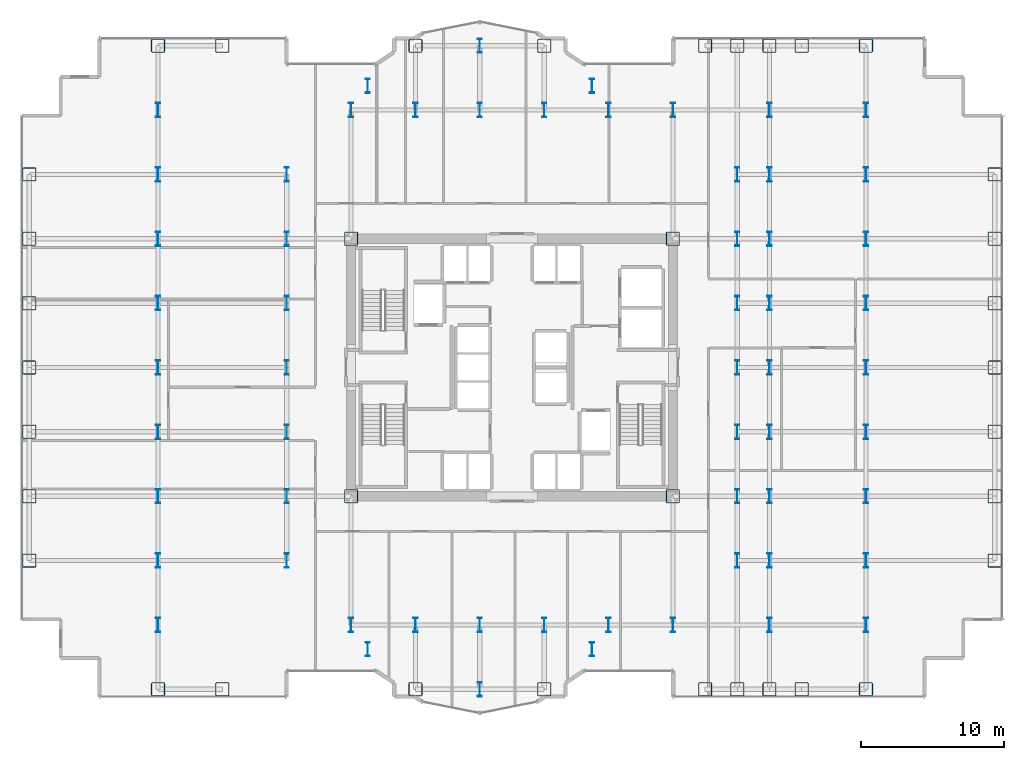
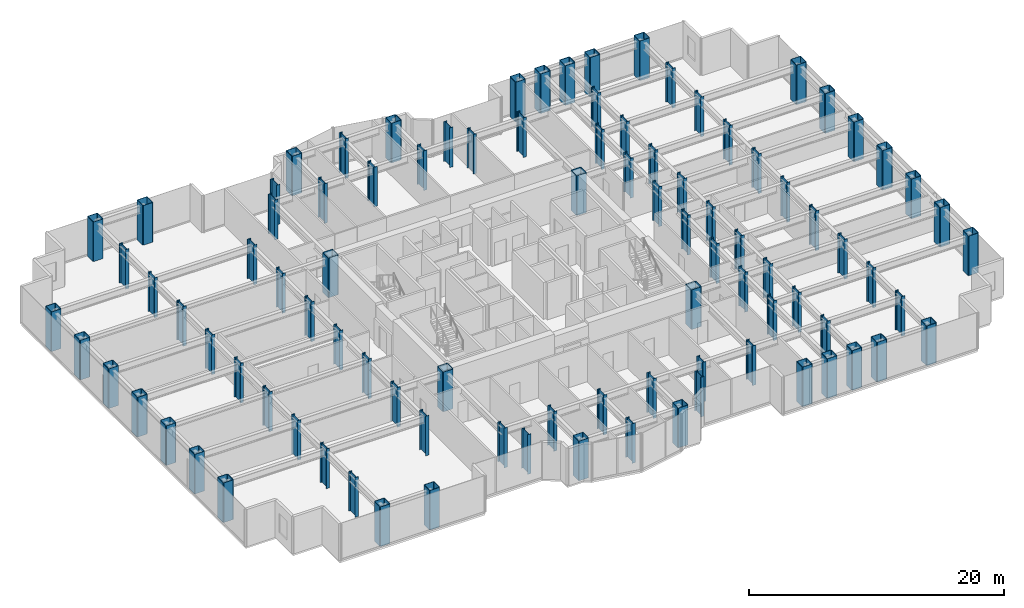
# One storey, part 1 of 25: 95 columns.
"""IFC4 building model written with IfcOpenShell, lengths in metres."""

from ifc_helpers import new_model, si_unit, direction, frame, origin, origin_2d, place, context, subcontext, project, spatial, hollow_rectangle, i_section, extrude, source, transform, mapped, material, material_profile, profile_set, type_object, element, save


model = new_model("IFC4")

# Units and contexts
model_context = context("Model", 3, precision=1e-05, world=origin(), true_north=direction((0.0, 1.0)))
body_context = subcontext(model_context, "Body", "Model", "MODEL_VIEW")
ifc_project = project(units=[si_unit("LENGTHUNIT", "METRE"), si_unit("AREAUNIT", "SQUARE_METRE"), si_unit("VOLUMEUNIT", "CUBIC_METRE"), si_unit("PLANEANGLEUNIT", "RADIAN"), si_unit("MASSUNIT", "GRAM", prefix="KILO")], contexts=[model_context])

# Site, building, storey
site_placement = place(None, origin())
site = spatial("IfcSite", under=ifc_project, at=site_placement, CompositionType="ELEMENT")
building_placement = place(site_placement, origin())
building = spatial("IfcBuilding", under=site, at=building_placement, Name="Nefas-Gora Pilgrimage Tower", CompositionType="ELEMENT")
storey_placement = place(building_placement, frame((0.0, 0.0, 52.0)))
storey = spatial("IfcBuildingStorey", under=building, at=storey_placement, Name="L11", CompositionType="ELEMENT", Elevation=52.0)

# Columns
ifc_material = material(Name="Steel S460", Category="steel")
ifc_material_profile_1 = material_profile(ifc_material, hollow_rectangle(XDim=0.949951171875, YDim=0.949951171875, WallThickness=0.044921875, InnerFilletRadius=0.044921875, OuterFilletRadius=0.090087890625, at=origin_2d()), Name="BOX 950x950x45")
ifc_profile_set_1 = profile_set([ifc_material_profile_1], Name="Steel S460")
column_type_1 = type_object("IfcColumnType", Name="COL-TUBE-950", PredefinedType="COLUMN", material=ifc_profile_set_1)
shared_shape_1 = source(origin(), body_context, "Body", "SweptSolid", [
    extrude(hollow_rectangle(XDim=0.949951171875, YDim=0.949951171875, WallThickness=0.044921875, InnerFilletRadius=0.044921875, OuterFilletRadius=0.090087890625, at=origin_2d()), origin(), (0.0, 0.0, 1.0), 3.800048828125),
])
for number, where, z_axis, x_axis, name in (
    (1, (-33.75, -13.5, 0.0), (0.0, 0.0, 1.0), (1.0, 0.0, 0.0), "L11 Tower Column C-Z1.1"),
    (2, (-33.75, -9.0, 0.0), (0.0, 0.0, 1.0), (1.0, 0.0, 0.0), "L11 Tower Column C-Z1.2"),
    (3, (-33.75, -4.5, 0.0), (0.0, 0.0, 1.0), (1.0, 0.0, 0.0), "L11 Tower Column C-Z1.3"),
    (4, (-33.75, 0.0, 0.0), (0.0, 0.0, 1.0), (1.0, 0.0, 0.0), "L11 Tower Column C-Z1.4"),
    (5, (-33.75, 4.5, 0.0), (0.0, 0.0, 1.0), (1.0, 0.0, 0.0), "L11 Tower Column C-Z1.5"),
    (6, (-33.75, 9.0, 0.0), (0.0, 0.0, 1.0), (1.0, 0.0, 0.0), "L11 Tower Column C-Z1.6"),
    (7, (-33.75, 13.5, 0.0), (0.0, 0.0, 1.0), (1.0, 0.0, 0.0), "L11 Tower Column C-Z1.7"),
    (8, (-24.75, -22.5, 0.0), (0.0, 0.0, 1.0), (1.0, 0.0, 0.0), "L11 Tower Column C-Z1.8"),
    (9, (-24.75, 22.5, 0.0), (0.0, 0.0, 1.0), (1.0, 0.0, 0.0), "L11 Tower Column C-Z1.18"),
    (10, (-20.25, -22.5, 0.0), (0.0, 0.0, 1.0), (1.0, 0.0, 0.0), "L11 Tower Column C-Z1.19"),
    (11, (-20.25, 22.5, 0.0), (0.0, 0.0, 1.0), (1.0, 0.0, 0.0), "L11 Tower Column C-Z1.20"),
    (12, (-6.75, -22.5, 0.0), (0.0, 0.0, 1.0), (1.0, 0.0, 0.0), "L11 Tower Column C-Z1.34"),
    (13, (-6.75, 22.5, 0.0), (0.0, 0.0, 1.0), (1.0, 0.0, 0.0), "L11 Tower Column C-Z1.37"),
    (14, (2.25, -22.5, 0.0), (0.0, 0.0, 1.0), (1.0, 0.0, 0.0), "L11 Tower Column C-Z1.42"),
    (15, (2.25, 22.5, 0.0), (0.0, 0.0, 1.0), (1.0, 0.0, 0.0), "L11 Tower Column C-Z1.45"),
    (16, (13.5, -22.5, 0.0), (0.0, 0.0, 1.0), (1.0, 0.0, 0.0), "L11 Tower Column C-Z1.54"),
    (17, (13.5, 22.5, 0.0), (0.0, 0.0, 1.0), (1.0, 0.0, 0.0), "L11 Tower Column C-Z1.55"),
    (18, (15.75, -22.5, 0.0), (0.0, 0.0, 1.0), (1.0, 0.0, 0.0), "L11 Tower Column C-Z1.56"),
    (19, (15.75, 22.5, 0.0), (0.0, 0.0, 1.0), (1.0, 0.0, 0.0), "L11 Tower Column C-Z1.64"),
    (20, (18.0, -22.5, 0.0), (0.0, 0.0, 1.0), (1.0, 0.0, 0.0), "L11 Tower Column C-Z1.65"),
    (21, (18.0, 22.5, 0.0), (0.0, 0.0, 1.0), (1.0, 0.0, 0.0), "L11 Tower Column C-Z1.75"),
    (22, (20.25, -22.5, 0.0), (0.0, 0.0, 1.0), (1.0, 0.0, 0.0), "L11 Tower Column C-Z1.76"),
    (23, (20.25, 22.5, 0.0), (0.0, 0.0, 1.0), (1.0, 0.0, 0.0), "L11 Tower Column C-Z1.77"),
    (24, (24.75, -22.5, 0.0), (0.0, 0.0, 1.0), (1.0, 0.0, 0.0), "L11 Tower Column C-Z1.78"),
    (25, (24.75, 22.5, 0.0), (0.0, 0.0, 1.0), (1.0, 0.0, 0.0), "L11 Tower Column C-Z1.88"),
    (26, (33.75, -13.5, 0.0), (0.0, 0.0, 1.0), (1.0, 0.0, 0.0), "L11 Tower Column C-Z1.89"),
    (27, (33.75, -9.0, 0.0), (0.0, 0.0, 1.0), (1.0, 0.0, 0.0), "L11 Tower Column C-Z1.90"),
    (28, (33.75, -4.5, 0.0), (0.0, 0.0, 1.0), (1.0, 0.0, 0.0), "L11 Tower Column C-Z1.91"),
    (29, (33.75, 0.0, 0.0), (0.0, 0.0, 1.0), (1.0, 0.0, 0.0), "L11 Tower Column C-Z1.92"),
    (30, (33.75, 4.5, 0.0), (0.0, 0.0, 1.0), (1.0, 0.0, 0.0), "L11 Tower Column C-Z1.93"),
    (31, (33.75, 9.0, 0.0), (0.0, 0.0, 1.0), (1.0, 0.0, 0.0), "L11 Tower Column C-Z1.94"),
    (32, (33.75, 13.5, 0.0), (0.0, 0.0, 1.0), (1.0, 0.0, 0.0), "L11 Tower Column C-Z1.95"),
):
    element("IfcColumn", number, at=place(storey_placement, frame(where, z_axis=z_axis, x_axis=x_axis)), inside=storey, type_object=column_type_1, Name=name, PredefinedType="COLUMN", context=body_context, shape_type="MappedRepresentation", body=[
        mapped(shared_shape_1, transform((0.0, 0.0, 0.0), x_axis=(1.0, 0.0, 0.0), y_axis=(0.0, 1.0, 0.0), z_axis=(0.0, 0.0, 1.0), scale=1.0)),
    ])
ifc_material_profile_2 = material_profile(ifc_material, i_section(OverallWidth=0.302001953125, OverallDepth=1.008056640625, WebThickness=0.02099609375, FlangeThickness=0.0400390625, FilletRadius=0.030029296875, at=origin_2d()), Name="HEM 1000")
ifc_profile_set_2 = profile_set([ifc_material_profile_2], Name="Steel S460")
column_type_2 = type_object("IfcColumnType", Name="COL-WEB-HEM1000", PredefinedType="COLUMN", material=ifc_profile_set_2)
shared_shape_2 = source(origin(), body_context, "Body", "SweptSolid", [
    extrude(i_section(OverallWidth=0.302001953125, OverallDepth=1.008056640625, WebThickness=0.02099609375, FlangeThickness=0.0400390625, FilletRadius=0.030029296875, at=origin_2d()), origin(), (0.0, 0.0, 1.0), 3.800048828125),
])
for number, where, z_axis, x_axis, name in (
    (33, (-24.75, -18.0, 0.0), (0.0, 0.0, 1.0), (1.0, 0.0, 0.0), "L11 Tower Column CW-01.9"),
    (34, (-24.75, -13.5, 0.0), (0.0, 0.0, 1.0), (1.0, 0.0, 0.0), "L11 Tower Column CW-01.10"),
    (35, (-24.75, -9.0, 0.0), (0.0, 0.0, 1.0), (1.0, 0.0, 0.0), "L11 Tower Column CW-01.11"),
    (36, (-24.75, -4.5, 0.0), (0.0, 0.0, 1.0), (1.0, 0.0, 0.0), "L11 Tower Column CW-01.12"),
    (37, (-24.75, 0.0, 0.0), (0.0, 0.0, 1.0), (1.0, 0.0, 0.0), "L11 Tower Column CW-01.13"),
    (38, (-24.75, 4.5, 0.0), (0.0, 0.0, 1.0), (1.0, 0.0, 0.0), "L11 Tower Column CW-01.14"),
    (39, (-24.75, 9.0, 0.0), (0.0, 0.0, 1.0), (1.0, 0.0, 0.0), "L11 Tower Column CW-01.15"),
    (40, (-24.75, 13.5, 0.0), (0.0, 0.0, 1.0), (1.0, 0.0, 0.0), "L11 Tower Column CW-01.16"),
    (41, (-24.75, 18.0, 0.0), (0.0, 0.0, 1.0), (1.0, 0.0, 0.0), "L11 Tower Column CW-01.17"),
    (42, (-15.75, -13.5, 0.0), (0.0, 0.0, 1.0), (1.0, 0.0, 0.0), "L11 Tower Column CW-01.21"),
    (43, (-15.75, -9.0, 0.0), (0.0, 0.0, 1.0), (1.0, 0.0, 0.0), "L11 Tower Column CW-01.22"),
    (44, (-15.75, -4.5, 0.0), (0.0, 0.0, 1.0), (1.0, 0.0, 0.0), "L11 Tower Column CW-01.23"),
    (45, (-15.75, 0.0, 0.0), (0.0, 0.0, 1.0), (1.0, 0.0, 0.0), "L11 Tower Column CW-01.24"),
    (46, (-15.75, 4.5, 0.0), (0.0, 0.0, 1.0), (1.0, 0.0, 0.0), "L11 Tower Column CW-01.25"),
    (47, (-15.75, 9.0, 0.0), (0.0, 0.0, 1.0), (1.0, 0.0, 0.0), "L11 Tower Column CW-01.26"),
    (48, (-15.75, 13.5, 0.0), (0.0, 0.0, 1.0), (1.0, 0.0, 0.0), "L11 Tower Column CW-01.27"),
    (49, (-11.25, -18.0, 0.0), (0.0, 0.0, 1.0), (1.0, 0.0, 0.0), "L11 Tower Column CW-01.28"),
    (50, (-11.25, 18.0, 0.0), (0.0, 0.0, 1.0), (1.0, 0.0, 0.0), "L11 Tower Column CW-01.31"),
    (51, (-10.091064453125, -19.696044921875, 0.0), (0.0, 0.0, 1.0), (1.0, 0.0, 0.0), "L11 Tower Column CW-01.32"),
    (52, (-10.091064453125, 19.696044921875, 0.0), (0.0, 0.0, 1.0), (1.0, 0.0, 0.0), "L11 Tower Column CW-01.33"),
    (53, (-6.75, -18.0, 0.0), (0.0, 0.0, 1.0), (1.0, 0.0, 0.0), "L11 Tower Column CW-01.35"),
    (54, (-6.75, 18.0, 0.0), (0.0, 0.0, 1.0), (1.0, 0.0, 0.0), "L11 Tower Column CW-01.36"),
    (55, (-2.25, -22.5, 0.0), (0.0, 0.0, 1.0), (1.0, 0.0, 0.0), "L11 Tower Column CW-01.38"),
    (56, (-2.25, -18.0, 0.0), (0.0, 0.0, 1.0), (1.0, 0.0, 0.0), "L11 Tower Column CW-01.39"),
    (57, (-2.25, 18.0, 0.0), (0.0, 0.0, 1.0), (1.0, 0.0, 0.0), "L11 Tower Column CW-01.40"),
    (58, (-2.25, 22.5, 0.0), (0.0, 0.0, 1.0), (1.0, 0.0, 0.0), "L11 Tower Column CW-01.41"),
    (59, (2.25, -18.0, 0.0), (0.0, 0.0, 1.0), (1.0, 0.0, 0.0), "L11 Tower Column CW-01.43"),
    (60, (2.25, 18.0, 0.0), (0.0, 0.0, 1.0), (1.0, 0.0, 0.0), "L11 Tower Column CW-01.44"),
    (61, (5.591064453125, -19.696044921875, 0.0), (0.0, 0.0, 1.0), (1.0, 0.0, 0.0), "L11 Tower Column CW-01.46"),
    (62, (5.591064453125, 19.696044921875, 0.0), (0.0, 0.0, 1.0), (1.0, 0.0, 0.0), "L11 Tower Column CW-01.47"),
    (63, (6.75, -18.0, 0.0), (0.0, 0.0, 1.0), (1.0, 0.0, 0.0), "L11 Tower Column CW-01.48"),
    (64, (6.75, 18.0, 0.0), (0.0, 0.0, 1.0), (1.0, 0.0, 0.0), "L11 Tower Column CW-01.49"),
    (65, (11.25, -18.0, 0.0), (0.0, 0.0, 1.0), (1.0, 0.0, 0.0), "L11 Tower Column CW-01.50"),
    (66, (11.25, 18.0, 0.0), (0.0, 0.0, 1.0), (1.0, 0.0, 0.0), "L11 Tower Column CW-01.53"),
    (67, (15.75, -13.5, 0.0), (0.0, 0.0, 1.0), (1.0, 0.0, 0.0), "L11 Tower Column CW-01.57"),
    (68, (15.75, -9.0, 0.0), (0.0, 0.0, 1.0), (1.0, 0.0, 0.0), "L11 Tower Column CW-01.58"),
    (69, (15.75, -4.5, 0.0), (0.0, 0.0, 1.0), (1.0, 0.0, 0.0), "L11 Tower Column CW-01.59"),
    (70, (15.75, 0.0, 0.0), (0.0, 0.0, 1.0), (1.0, 0.0, 0.0), "L11 Tower Column CW-01.60"),
    (71, (15.75, 4.5, 0.0), (0.0, 0.0, 1.0), (1.0, 0.0, 0.0), "L11 Tower Column CW-01.61"),
    (72, (15.75, 9.0, 0.0), (0.0, 0.0, 1.0), (1.0, 0.0, 0.0), "L11 Tower Column CW-01.62"),
    (73, (15.75, 13.5, 0.0), (0.0, 0.0, 1.0), (1.0, 0.0, 0.0), "L11 Tower Column CW-01.63"),
    (74, (18.0, -18.0, 0.0), (0.0, 0.0, 1.0), (1.0, 0.0, 0.0), "L11 Tower Column CW-01.66"),
    (75, (18.0, -13.5, 0.0), (0.0, 0.0, 1.0), (1.0, 0.0, 0.0), "L11 Tower Column CW-01.67"),
    (76, (18.0, -9.0, 0.0), (0.0, 0.0, 1.0), (1.0, 0.0, 0.0), "L11 Tower Column CW-01.68"),
    (77, (18.0, -4.5, 0.0), (0.0, 0.0, 1.0), (1.0, 0.0, 0.0), "L11 Tower Column CW-01.69"),
    (78, (18.0, 0.0, 0.0), (0.0, 0.0, 1.0), (1.0, 0.0, 0.0), "L11 Tower Column CW-01.70"),
    (79, (18.0, 4.5, 0.0), (0.0, 0.0, 1.0), (1.0, 0.0, 0.0), "L11 Tower Column CW-01.71"),
    (80, (18.0, 9.0, 0.0), (0.0, 0.0, 1.0), (1.0, 0.0, 0.0), "L11 Tower Column CW-01.72"),
    (81, (18.0, 13.5, 0.0), (0.0, 0.0, 1.0), (1.0, 0.0, 0.0), "L11 Tower Column CW-01.73"),
    (82, (18.0, 18.0, 0.0), (0.0, 0.0, 1.0), (1.0, 0.0, 0.0), "L11 Tower Column CW-01.74"),
    (83, (24.75, -18.0, 0.0), (0.0, 0.0, 1.0), (1.0, 0.0, 0.0), "L11 Tower Column CW-01.79"),
    (84, (24.75, -13.5, 0.0), (0.0, 0.0, 1.0), (1.0, 0.0, 0.0), "L11 Tower Column CW-01.80"),
    (85, (24.75, -9.0, 0.0), (0.0, 0.0, 1.0), (1.0, 0.0, 0.0), "L11 Tower Column CW-01.81"),
    (86, (24.75, -4.5, 0.0), (0.0, 0.0, 1.0), (1.0, 0.0, 0.0), "L11 Tower Column CW-01.82"),
    (87, (24.75, 0.0, 0.0), (0.0, 0.0, 1.0), (1.0, 0.0, 0.0), "L11 Tower Column CW-01.83"),
    (88, (24.75, 4.5, 0.0), (0.0, 0.0, 1.0), (1.0, 0.0, 0.0), "L11 Tower Column CW-01.84"),
    (89, (24.75, 9.0, 0.0), (0.0, 0.0, 1.0), (1.0, 0.0, 0.0), "L11 Tower Column CW-01.85"),
    (90, (24.75, 13.5, 0.0), (0.0, 0.0, 1.0), (1.0, 0.0, 0.0), "L11 Tower Column CW-01.86"),
    (91, (24.75, 18.0, 0.0), (0.0, 0.0, 1.0), (1.0, 0.0, 0.0), "L11 Tower Column CW-01.87"),
):
    element("IfcColumn", number, at=place(storey_placement, frame(where, z_axis=z_axis, x_axis=x_axis)), inside=storey, type_object=column_type_2, Name=name, PredefinedType="COLUMN", context=body_context, shape_type="MappedRepresentation", body=[
        mapped(shared_shape_2, transform((0.0, 0.0, 0.0), x_axis=(1.0, 0.0, 0.0), y_axis=(0.0, 1.0, 0.0), z_axis=(0.0, 0.0, 1.0), scale=1.0)),
    ])
ifc_material_profile_3 = material_profile(ifc_material, hollow_rectangle(XDim=0.949951171875, YDim=0.949951171875, WallThickness=0.044921875, InnerFilletRadius=0.044921875, OuterFilletRadius=0.090087890625, at=origin_2d()), Name="BOX 950x950x45")
ifc_profile_set_3 = profile_set([ifc_material_profile_3], Name="Steel S460")
column_type_3 = type_object("IfcColumnType", Name="COL-CORE-950", PredefinedType="COLUMN", material=ifc_profile_set_3)
shared_shape_3 = source(origin(), body_context, "Body", "SweptSolid", [
    extrude(hollow_rectangle(XDim=0.949951171875, YDim=0.949951171875, WallThickness=0.044921875, InnerFilletRadius=0.044921875, OuterFilletRadius=0.090087890625, at=origin_2d()), origin(), (0.0, 0.0, 1.0), 3.800048828125),
])
for number, where, z_axis, x_axis, name in (
    (92, (-11.25, -9.0, 0.0), (0.0, 0.0, 1.0), (1.0, 0.0, 0.0), "L11 Tower Column CC-Z1.29"),
    (93, (-11.25, 9.0, 0.0), (0.0, 0.0, 1.0), (1.0, 0.0, 0.0), "L11 Tower Column CC-Z1.30"),
    (94, (11.25, -9.0, 0.0), (0.0, 0.0, 1.0), (1.0, 0.0, 0.0), "L11 Tower Column CC-Z1.51"),
    (95, (11.25, 9.0, 0.0), (0.0, 0.0, 1.0), (1.0, 0.0, 0.0), "L11 Tower Column CC-Z1.52"),
):
    element("IfcColumn", number, at=place(storey_placement, frame(where, z_axis=z_axis, x_axis=x_axis)), inside=storey, type_object=column_type_3, Name=name, PredefinedType="COLUMN", context=body_context, shape_type="MappedRepresentation", body=[
        mapped(shared_shape_3, transform((0.0, 0.0, 0.0), x_axis=(1.0, 0.0, 0.0), y_axis=(0.0, 1.0, 0.0), z_axis=(0.0, 0.0, 1.0), scale=1.0)),
    ])

save(model, "model.ifc")
